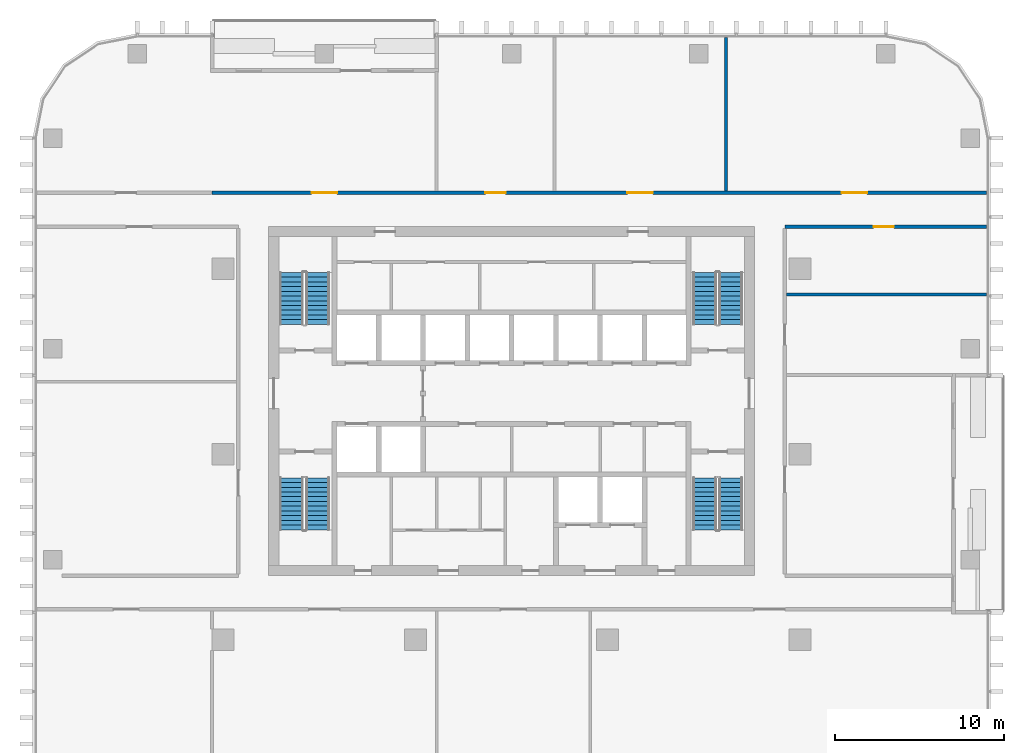
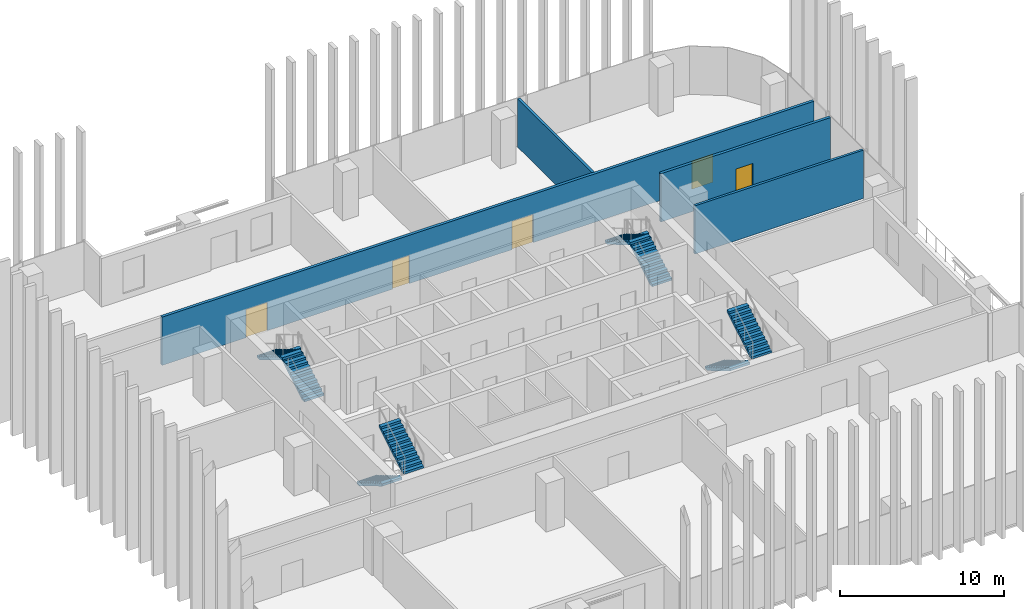
# One storey, part 10 of 15: 8 stair flights, 5 doors, 4 walls, 5 openings, 4 elements without a shape of their own.
"""IFC4 building model written with IfcOpenShell, lengths in metres."""

from ifc_helpers import new_model, si_unit, direction, frame, frame_2d, origin, place, context, subcontext, project, spatial, polyline, rectangle, outline, extrude, material, layer, layer_set, type_object, element, fill, aggregate, save


model = new_model("IFC4")

# Units and contexts
model_context = context("Model", 3, precision=1e-05, world=origin(), true_north=direction((0.0, 1.0)))
body_context = subcontext(model_context, "Body", "Model", "MODEL_VIEW")
ifc_project = project(units=[si_unit("LENGTHUNIT", "METRE"), si_unit("AREAUNIT", "SQUARE_METRE"), si_unit("VOLUMEUNIT", "CUBIC_METRE"), si_unit("PLANEANGLEUNIT", "RADIAN"), si_unit("MASSUNIT", "GRAM", prefix="KILO")], contexts=[model_context])

# Site, building, storey
site_placement = place(None, origin())
site = spatial("IfcSite", under=ifc_project, at=site_placement, CompositionType="ELEMENT")
building_placement = place(site_placement, origin())
building = spatial("IfcBuilding", under=site, at=building_placement, Name="Mopane Tessera Tower", CompositionType="ELEMENT")
storey_placement = place(building_placement, frame((0.0, 0.0, 211.0)))
storey = spatial("IfcBuildingStorey", under=building, at=storey_placement, Name="L44", CompositionType="ELEMENT", Elevation=211.0)

# Walls
ifc_material_1 = material(Name="Gypsum board on staggered steel studs, double layer each face, acoustic mineral wool infill", Category="steel")
ifc_layer_1 = layer(ifc_material_1, 0.175048828125)
ifc_layer_set_1 = layer_set([ifc_layer_1], Name="Gypsum board on staggered steel studs, double layer each face, acoustic mineral wool infill")
wall_type_1 = type_object("IfcWallType", Name="Gypsum board acoustic partition 175, rated EI 60", PredefinedType="PARTITIONING", material=ifc_layer_set_1)
wall_1_placement = place(storey_placement, frame((16.300048828125, 9.485107421875, 0.0), z_axis=(0.0, 0.0, 1.0), x_axis=(1.0, 0.0, 0.0)))
element("IfcWall", 1, at=wall_1_placement, inside=storey, type_object=wall_type_1, Name="Partition L44:005", PredefinedType="PARTITIONING", context=body_context, shape_type="SweptSolid", body=[
    extrude(rectangle(XDim=11.849853515625, YDim=0.175048828125, at=frame_2d((5.9248046875, 0.0))), origin(), (0.0, 0.0, 1.0), 3.60009765625),
])
wall_2_placement = place(storey_placement, frame((12.705078125, 15.60009765625, 0.0), z_axis=(0.0, 0.0, 1.0), x_axis=(0.0, 1.0, 0.0)))
element("IfcWall", 2, at=wall_2_placement, inside=storey, type_object=wall_type_1, Name="Partition L44:017", PredefinedType="PARTITIONING", context=body_context, shape_type="SweptSolid", body=[
    extrude(rectangle(XDim=9.099853515625, YDim=0.175048828125, at=frame_2d((4.5498046875, 0.0))), origin(), (0.0, 0.0, 1.0), 3.60009765625),
])

# Wall, opening, door
ifc_material_2 = material(Name="Gypsum board on steel studs, two layers each face, mineral wool infill", Category="steel")
ifc_layer_2 = layer(ifc_material_2, 0.199951171875)
ifc_layer_set_2 = layer_set([ifc_layer_2], Name="Gypsum board on steel studs, two layers each face, mineral wool infill")
wall_type_2 = type_object("IfcWallType", Name="Gypsum board corridor wall 200, rated EI 60", PredefinedType="PARTITIONING", material=ifc_layer_set_2)
wall_3_placement = place(storey_placement, frame((16.199951171875, 13.5, 0.0), z_axis=(0.0, 0.0, 1.0), x_axis=(1.0, 0.0, 0.0)))
wall_3 = element("IfcWall", 3, at=wall_3_placement, inside=storey, type_object=wall_type_2, Name="Partition L44:007", PredefinedType="PARTITIONING", context=body_context, shape_type="SweptSolid", body=[
    extrude(rectangle(XDim=11.949951171875, YDim=0.199951171875, at=frame_2d((5.97509765625, 0.0))), origin(), (0.0, 0.0, 1.0), 3.60009765625),
])
opening_1_placement = place(wall_3_placement, frame((5.27490234375, 0.0, 0.0)))
opening_1 = element("IfcOpeningElement", 4, at=opening_1_placement, cuts=wall_3, Name="Opening L44-03", PredefinedType="OPENING", context=body_context, shape_type="SweptSolid", body=[
    extrude(rectangle(XDim=1.199951171875, YDim=2.10009765625, at=frame_2d((0.60009765625, 1.050048828125))), frame((0.0, 0.112060546875, 0.0), z_axis=(0.0, -1.0, 0.0), x_axis=(1.0, 0.0, 0.0)), (0.0, 0.0, 1.0), 0.223876953125),
])
ifc_material_3 = material(Name="Timber veneered steel-framed fire door", Category="steel")
door_type_1 = type_object("IfcDoorType", Name="Fire door FD60 1200 x 2100", OperationType="SINGLE_SWING_LEFT", PredefinedType="DOOR", material=ifc_material_3)
door_1_placement = place(opening_1_placement, origin())
door_1 = element("IfcDoor", 5, at=door_1_placement, inside=storey, type_object=door_type_1, Name="Door L44-03", ObjectType="D15A", OperationType="SINGLE_SWING_LEFT", OverallHeight=2.10009765625, OverallWidth=1.199951171875, PredefinedType="DOOR", context=body_context, shape_type="SweptSolid", body=[
    extrude(rectangle(XDim=1.199951171875, YDim=2.10009765625, at=frame_2d((0.60009765625, 1.050048828125))), frame((0.0, 0.02490234375, 0.0), z_axis=(0.0, -1.0, 0.0), x_axis=(1.0, 0.0, 0.0)), (0.0, 0.0, 1.0), 0.050048828125),
])
fill(opening_1, door_1)

# Wall, openings, doors
wall_4_placement = place(storey_placement, frame((-17.760009765625, 15.5, 0.0), z_axis=(0.0, 0.0, 1.0), x_axis=(1.0, 0.0, 0.0)))
wall_4 = element("IfcWall", 6, at=wall_4_placement, inside=storey, type_object=wall_type_2, Name="Partition L44:009", PredefinedType="PARTITIONING", context=body_context, shape_type="SweptSolid", body=[
    extrude(rectangle(XDim=45.909912109375, YDim=0.199951171875, at=frame_2d((22.955078125, 0.0))), origin(), (0.0, 0.0, 1.0), 3.60009765625),
])
opening_2_placement = place(wall_4_placement, frame((37.33740234375, 0.0, 0.0)))
opening_2 = element("IfcOpeningElement", 7, at=opening_2_placement, cuts=wall_4, Name="Opening L44-01", PredefinedType="OPENING", context=body_context, shape_type="SweptSolid", body=[
    extrude(rectangle(XDim=1.5, YDim=2.10009765625, at=frame_2d((0.75, 1.050048828125))), frame((0.0, 0.112060546875, 0.0), z_axis=(0.0, -1.0, 0.0), x_axis=(1.0, 0.0, 0.0)), (0.0, 0.0, 1.0), 0.223876953125),
])
opening_3_placement = place(wall_4_placement, frame((24.632568359375, 0.0, 0.0)))
opening_3 = element("IfcOpeningElement", 8, at=opening_3_placement, cuts=wall_4, Name="Opening L44-02", PredefinedType="OPENING", context=body_context, shape_type="SweptSolid", body=[
    extrude(rectangle(XDim=1.5, YDim=2.10009765625, at=frame_2d((0.75, 1.050048828125))), frame((0.0, 0.112060546875, 0.0), z_axis=(0.0, -1.0, 0.0), x_axis=(1.0, 0.0, 0.0)), (0.0, 0.0, 1.0), 0.223876953125),
])
opening_4_placement = place(wall_4_placement, frame((5.909912109375, 0.0, 0.0)))
opening_4 = element("IfcOpeningElement", 9, at=opening_4_placement, cuts=wall_4, Name="Opening L44-09", PredefinedType="OPENING", context=body_context, shape_type="SweptSolid", body=[
    extrude(rectangle(XDim=1.5, YDim=2.10009765625, at=frame_2d((0.75, 1.050048828125))), frame((0.0, 0.112060546875, 0.0), z_axis=(0.0, -1.0, 0.0), x_axis=(1.0, 0.0, 0.0)), (0.0, 0.0, 1.0), 0.223876953125),
])
opening_5_placement = place(wall_4_placement, frame((16.2099609375, 0.0, 0.0)))
opening_5 = element("IfcOpeningElement", 10, at=opening_5_placement, cuts=wall_4, Name="Opening L44-13", PredefinedType="OPENING", context=body_context, shape_type="SweptSolid", body=[
    extrude(rectangle(XDim=1.199951171875, YDim=2.10009765625, at=frame_2d((0.60009765625, 1.050048828125))), frame((0.0, 0.112060546875, 0.0), z_axis=(0.0, -1.0, 0.0), x_axis=(1.0, 0.0, 0.0)), (0.0, 0.0, 1.0), 0.223876953125),
])
door_2_placement = place(opening_5_placement, origin())
door_2 = element("IfcDoor", 11, at=door_2_placement, inside=storey, type_object=door_type_1, Name="Door L44-13", ObjectType="D15A", OperationType="SINGLE_SWING_RIGHT", OverallHeight=2.10009765625, OverallWidth=1.199951171875, PredefinedType="DOOR", context=body_context, shape_type="SweptSolid", body=[
    extrude(rectangle(XDim=1.199951171875, YDim=2.10009765625, at=frame_2d((0.60009765625, 1.050048828125))), frame((0.0, 0.02490234375, 0.0), z_axis=(0.0, -1.0, 0.0), x_axis=(1.0, 0.0, 0.0)), (0.0, 0.0, 1.0), 0.050048828125),
])
fill(opening_5, door_2)
ifc_material_4 = material(Name="Timber veneered steel-framed fire door", Category="steel")
door_type_2 = type_object("IfcDoorType", Name="Fire door pair FD60 1500 x 2100", OperationType="DOUBLE_DOOR_SINGLE_SWING", PredefinedType="DOOR", material=ifc_material_4)
door_3_placement = place(opening_2_placement, origin())
door_3 = element("IfcDoor", 12, at=door_3_placement, inside=storey, type_object=door_type_2, Name="Door L44-01", ObjectType="D17A", OperationType="DOUBLE_DOOR_SINGLE_SWING", OverallHeight=2.10009765625, OverallWidth=1.5, PredefinedType="DOOR", context=body_context, shape_type="SweptSolid", body=[
    extrude(rectangle(XDim=1.5, YDim=2.10009765625, at=frame_2d((0.75, 1.050048828125))), frame((0.0, 0.02490234375, 0.0), z_axis=(0.0, -1.0, 0.0), x_axis=(1.0, 0.0, 0.0)), (0.0, 0.0, 1.0), 0.050048828125),
])
fill(opening_2, door_3)
door_4_placement = place(opening_3_placement, origin())
door_4 = element("IfcDoor", 13, at=door_4_placement, inside=storey, type_object=door_type_2, Name="Door L44-02", ObjectType="D17A", OperationType="DOUBLE_DOOR_SINGLE_SWING", OverallHeight=2.10009765625, OverallWidth=1.5, PredefinedType="DOOR", context=body_context, shape_type="SweptSolid", body=[
    extrude(rectangle(XDim=1.5, YDim=2.10009765625, at=frame_2d((0.75, 1.050048828125))), frame((0.0, 0.02490234375, 0.0), z_axis=(0.0, -1.0, 0.0), x_axis=(1.0, 0.0, 0.0)), (0.0, 0.0, 1.0), 0.050048828125),
])
fill(opening_3, door_4)
door_5_placement = place(opening_4_placement, origin())
door_5 = element("IfcDoor", 14, at=door_5_placement, inside=storey, type_object=door_type_2, Name="Door L44-09", ObjectType="D17A", OperationType="DOUBLE_DOOR_SINGLE_SWING", OverallHeight=2.10009765625, OverallWidth=1.5, PredefinedType="DOOR", context=body_context, shape_type="SweptSolid", body=[
    extrude(rectangle(XDim=1.5, YDim=2.10009765625, at=frame_2d((0.75, 1.050048828125))), frame((0.0, 0.02490234375, 0.0), z_axis=(0.0, -1.0, 0.0), x_axis=(1.0, 0.0, 0.0)), (0.0, 0.0, 1.0), 0.050048828125),
])
fill(opening_4, door_5)

# Stair, stair flights
ifc_material_5 = material(Name="Concrete C50/60", Category="concrete")
stair_type = type_object("IfcStairType", Name="Escape stair 1400 mm, riser 167 mm", PredefinedType="HALF_TURN_STAIR", material=ifc_material_5)
stair_1_placement = place(storey_placement, origin())
stair_1 = element("IfcStair", 15, at=stair_1_placement, inside=storey, type_object=stair_type, Name="L44 Escape stair south-west", PredefinedType="HALF_TURN_STAIR")
ifc_material_6 = material(Name="Concrete C50/60", Category="concrete")
stair_flight_type = type_object("IfcStairFlightType", Name="Escape stair flight 1400 mm", PredefinedType="STRAIGHT", material=ifc_material_6)
stair_flight_1_placement = place(storey_placement, frame((-13.050048828125, -1.39990234375, 0.0), z_axis=(0.0, 0.0, 1.0), x_axis=(0.0, -1.0, 0.0)))
stair_flight_1 = element("IfcStairFlight", 16, at=stair_flight_1_placement, type_object=stair_flight_type, Name="ST1 flight 1", NumberOfRisers=12, NumberOfTreads=11, PredefinedType="STRAIGHT", RiserHeight=0.166666667, TreadLength=0.28, context=body_context, shape_type="SweptSolid", body=[
    extrude(outline(polyline([(0.0, 0.0), (0.0, 0.166748046875), (0.280029296875, 0.166748046875), (0.280029296875, 0.333251953125), (0.56005859375, 0.333251953125), (0.56005859375, 0.5), (0.840087890625, 0.5), (0.840087890625, 0.666748046875), (1.1201171875, 0.666748046875), (1.1201171875, 0.833251953125), (1.39990234375, 0.833251953125), (1.39990234375, 1.0), (1.679931640625, 1.0), (1.679931640625, 1.166748046875), (1.9599609375, 1.166748046875), (1.9599609375, 1.333251953125), (2.239990234375, 1.333251953125), (2.239990234375, 1.5), (2.52001953125, 1.5), (2.52001953125, 1.666748046875), (2.800048828125, 1.666748046875), (2.800048828125, 1.833251953125), (3.080078125, 1.833251953125), (3.080078125, 2.0), (3.080078125, 1.658935546875), (0.29296875, 0.0), (0.0, 0.0)])), frame((0.0, 0.699951171875, 0.0), z_axis=(0.0, -1.0, 0.0), x_axis=(1.0, 0.0, 0.0)), (0.0, 0.0, 1.0), 1.39990234375),
])
stair_flight_2_placement = place(storey_placement, frame((-11.5, -4.47998046875, 2.0), z_axis=(0.0, 0.0, 1.0), x_axis=(0.0, 1.0, 0.0)))
stair_flight_2 = element("IfcStairFlight", 17, at=stair_flight_2_placement, type_object=stair_flight_type, Name="ST1 flight 2", NumberOfRisers=12, NumberOfTreads=11, PredefinedType="STRAIGHT", RiserHeight=0.166666667, TreadLength=0.28, context=body_context, shape_type="SweptSolid", body=[
    extrude(outline(polyline([(0.0, 0.0), (0.0, 0.166748046875), (0.280029296875, 0.166748046875), (0.280029296875, 0.333251953125), (0.56005859375, 0.333251953125), (0.56005859375, 0.5), (0.840087890625, 0.5), (0.840087890625, 0.666748046875), (1.1201171875, 0.666748046875), (1.1201171875, 0.833251953125), (1.39990234375, 0.833251953125), (1.39990234375, 1.0), (1.679931640625, 1.0), (1.679931640625, 1.166748046875), (1.9599609375, 1.166748046875), (1.9599609375, 1.333251953125), (2.239990234375, 1.333251953125), (2.239990234375, 1.5), (2.52001953125, 1.5), (2.52001953125, 1.666748046875), (2.800048828125, 1.666748046875), (2.800048828125, 1.833251953125), (3.080078125, 1.833251953125), (3.080078125, 2.0), (3.080078125, 1.658935546875), (0.29296875, 0.0), (0.0, 0.0)])), frame((0.0, 0.699951171875, 0.0), z_axis=(0.0, -1.0, 0.0), x_axis=(1.0, 0.0, 0.0)), (0.0, 0.0, 1.0), 1.39990234375),
])
aggregate(stair_1, [stair_flight_1, stair_flight_2])

stair_2_placement = place(storey_placement, origin())
stair_2 = element("IfcStair", 18, at=stair_2_placement, inside=storey, type_object=stair_type, Name="L44 Escape stair north-west", PredefinedType="HALF_TURN_STAIR")
stair_flight_3_placement = place(storey_placement, frame((-11.5, 7.699951171875, 0.0), z_axis=(0.0, 0.0, 1.0), x_axis=(0.0, 1.0, 0.0)))
stair_flight_3 = element("IfcStairFlight", 19, at=stair_flight_3_placement, type_object=stair_flight_type, Name="ST2 flight 1", NumberOfRisers=12, NumberOfTreads=11, PredefinedType="STRAIGHT", RiserHeight=0.166666667, TreadLength=0.28, context=body_context, shape_type="SweptSolid", body=[
    extrude(outline(polyline([(0.0, 0.0), (0.0, 0.166748046875), (0.280029296875, 0.166748046875), (0.280029296875, 0.333251953125), (0.56005859375, 0.333251953125), (0.56005859375, 0.5), (0.840087890625, 0.5), (0.840087890625, 0.666748046875), (1.1201171875, 0.666748046875), (1.1201171875, 0.833251953125), (1.39990234375, 0.833251953125), (1.39990234375, 1.0), (1.679931640625, 1.0), (1.679931640625, 1.166748046875), (1.9599609375, 1.166748046875), (1.9599609375, 1.333251953125), (2.239990234375, 1.333251953125), (2.239990234375, 1.5), (2.52001953125, 1.5), (2.52001953125, 1.666748046875), (2.800048828125, 1.666748046875), (2.800048828125, 1.833251953125), (3.080078125, 1.833251953125), (3.080078125, 2.0), (3.080078125, 1.658935546875), (0.29296875, 0.0), (0.0, 0.0)])), frame((0.0, 0.699951171875, 0.0), z_axis=(0.0, -1.0, 0.0), x_axis=(1.0, 0.0, 0.0)), (0.0, 0.0, 1.0), 1.39990234375),
])
stair_flight_4_placement = place(storey_placement, frame((-13.050048828125, 10.780029296875, 2.0), z_axis=(0.0, 0.0, 1.0), x_axis=(0.0, -1.0, 0.0)))
stair_flight_4 = element("IfcStairFlight", 20, at=stair_flight_4_placement, type_object=stair_flight_type, Name="ST2 flight 2", NumberOfRisers=12, NumberOfTreads=11, PredefinedType="STRAIGHT", RiserHeight=0.166666667, TreadLength=0.28, context=body_context, shape_type="SweptSolid", body=[
    extrude(outline(polyline([(0.0, 0.0), (0.0, 0.166748046875), (0.280029296875, 0.166748046875), (0.280029296875, 0.333251953125), (0.56005859375, 0.333251953125), (0.56005859375, 0.5), (0.840087890625, 0.5), (0.840087890625, 0.666748046875), (1.1201171875, 0.666748046875), (1.1201171875, 0.833251953125), (1.39990234375, 0.833251953125), (1.39990234375, 1.0), (1.679931640625, 1.0), (1.679931640625, 1.166748046875), (1.9599609375, 1.166748046875), (1.9599609375, 1.333251953125), (2.239990234375, 1.333251953125), (2.239990234375, 1.5), (2.52001953125, 1.5), (2.52001953125, 1.666748046875), (2.800048828125, 1.666748046875), (2.800048828125, 1.833251953125), (3.080078125, 1.833251953125), (3.080078125, 2.0), (3.080078125, 1.658935546875), (0.29296875, 0.0), (0.0, 0.0)])), frame((0.0, 0.699951171875, 0.0), z_axis=(0.0, -1.0, 0.0), x_axis=(1.0, 0.0, 0.0)), (0.0, 0.0, 1.0), 1.39990234375),
])
aggregate(stair_2, [stair_flight_3, stair_flight_4])

stair_3_placement = place(storey_placement, origin())
stair_3 = element("IfcStair", 21, at=stair_3_placement, inside=storey, type_object=stair_type, Name="L44 Escape stair south-east", PredefinedType="HALF_TURN_STAIR")
stair_flight_5_placement = place(storey_placement, frame((11.449951171875, -1.39990234375, 0.0), z_axis=(0.0, 0.0, 1.0), x_axis=(0.0, -1.0, 0.0)))
stair_flight_5 = element("IfcStairFlight", 22, at=stair_flight_5_placement, type_object=stair_flight_type, Name="ST3 flight 1", NumberOfRisers=12, NumberOfTreads=11, PredefinedType="STRAIGHT", RiserHeight=0.166666667, TreadLength=0.28, context=body_context, shape_type="SweptSolid", body=[
    extrude(outline(polyline([(0.0, 0.0), (0.0, 0.166748046875), (0.280029296875, 0.166748046875), (0.280029296875, 0.333251953125), (0.56005859375, 0.333251953125), (0.56005859375, 0.5), (0.840087890625, 0.5), (0.840087890625, 0.666748046875), (1.1201171875, 0.666748046875), (1.1201171875, 0.833251953125), (1.39990234375, 0.833251953125), (1.39990234375, 1.0), (1.679931640625, 1.0), (1.679931640625, 1.166748046875), (1.9599609375, 1.166748046875), (1.9599609375, 1.333251953125), (2.239990234375, 1.333251953125), (2.239990234375, 1.5), (2.52001953125, 1.5), (2.52001953125, 1.666748046875), (2.800048828125, 1.666748046875), (2.800048828125, 1.833251953125), (3.080078125, 1.833251953125), (3.080078125, 2.0), (3.080078125, 1.658935546875), (0.29296875, 0.0), (0.0, 0.0)])), frame((0.0, 0.699951171875, 0.0), z_axis=(0.0, -1.0, 0.0), x_axis=(1.0, 0.0, 0.0)), (0.0, 0.0, 1.0), 1.39990234375),
])
stair_flight_6_placement = place(storey_placement, frame((13.0, -4.47998046875, 2.0), z_axis=(0.0, 0.0, 1.0), x_axis=(0.0, 1.0, 0.0)))
stair_flight_6 = element("IfcStairFlight", 23, at=stair_flight_6_placement, type_object=stair_flight_type, Name="ST3 flight 2", NumberOfRisers=12, NumberOfTreads=11, PredefinedType="STRAIGHT", RiserHeight=0.166666667, TreadLength=0.28, context=body_context, shape_type="SweptSolid", body=[
    extrude(outline(polyline([(0.0, 0.0), (0.0, 0.166748046875), (0.280029296875, 0.166748046875), (0.280029296875, 0.333251953125), (0.56005859375, 0.333251953125), (0.56005859375, 0.5), (0.840087890625, 0.5), (0.840087890625, 0.666748046875), (1.1201171875, 0.666748046875), (1.1201171875, 0.833251953125), (1.39990234375, 0.833251953125), (1.39990234375, 1.0), (1.679931640625, 1.0), (1.679931640625, 1.166748046875), (1.9599609375, 1.166748046875), (1.9599609375, 1.333251953125), (2.239990234375, 1.333251953125), (2.239990234375, 1.5), (2.52001953125, 1.5), (2.52001953125, 1.666748046875), (2.800048828125, 1.666748046875), (2.800048828125, 1.833251953125), (3.080078125, 1.833251953125), (3.080078125, 2.0), (3.080078125, 1.658935546875), (0.29296875, 0.0), (0.0, 0.0)])), frame((0.0, 0.699951171875, 0.0), z_axis=(0.0, -1.0, 0.0), x_axis=(1.0, 0.0, 0.0)), (0.0, 0.0, 1.0), 1.39990234375),
])
aggregate(stair_3, [stair_flight_5, stair_flight_6])

stair_4_placement = place(storey_placement, origin())
stair_4 = element("IfcStair", 24, at=stair_4_placement, inside=storey, type_object=stair_type, Name="L44 Escape stair north-east", PredefinedType="HALF_TURN_STAIR")
stair_flight_7_placement = place(storey_placement, frame((13.0, 7.699951171875, 0.0), z_axis=(0.0, 0.0, 1.0), x_axis=(0.0, 1.0, 0.0)))
stair_flight_7 = element("IfcStairFlight", 25, at=stair_flight_7_placement, type_object=stair_flight_type, Name="ST4 flight 1", NumberOfRisers=12, NumberOfTreads=11, PredefinedType="STRAIGHT", RiserHeight=0.166666667, TreadLength=0.28, context=body_context, shape_type="SweptSolid", body=[
    extrude(outline(polyline([(0.0, 0.0), (0.0, 0.166748046875), (0.280029296875, 0.166748046875), (0.280029296875, 0.333251953125), (0.56005859375, 0.333251953125), (0.56005859375, 0.5), (0.840087890625, 0.5), (0.840087890625, 0.666748046875), (1.1201171875, 0.666748046875), (1.1201171875, 0.833251953125), (1.39990234375, 0.833251953125), (1.39990234375, 1.0), (1.679931640625, 1.0), (1.679931640625, 1.166748046875), (1.9599609375, 1.166748046875), (1.9599609375, 1.333251953125), (2.239990234375, 1.333251953125), (2.239990234375, 1.5), (2.52001953125, 1.5), (2.52001953125, 1.666748046875), (2.800048828125, 1.666748046875), (2.800048828125, 1.833251953125), (3.080078125, 1.833251953125), (3.080078125, 2.0), (3.080078125, 1.658935546875), (0.29296875, 0.0), (0.0, 0.0)])), frame((0.0, 0.699951171875, 0.0), z_axis=(0.0, -1.0, 0.0), x_axis=(1.0, 0.0, 0.0)), (0.0, 0.0, 1.0), 1.39990234375),
])
stair_flight_8_placement = place(storey_placement, frame((11.449951171875, 10.780029296875, 2.0), z_axis=(0.0, 0.0, 1.0), x_axis=(0.0, -1.0, 0.0)))
stair_flight_8 = element("IfcStairFlight", 26, at=stair_flight_8_placement, type_object=stair_flight_type, Name="ST4 flight 2", NumberOfRisers=12, NumberOfTreads=11, PredefinedType="STRAIGHT", RiserHeight=0.166666667, TreadLength=0.28, context=body_context, shape_type="SweptSolid", body=[
    extrude(outline(polyline([(0.0, 0.0), (0.0, 0.166748046875), (0.280029296875, 0.166748046875), (0.280029296875, 0.333251953125), (0.56005859375, 0.333251953125), (0.56005859375, 0.5), (0.840087890625, 0.5), (0.840087890625, 0.666748046875), (1.1201171875, 0.666748046875), (1.1201171875, 0.833251953125), (1.39990234375, 0.833251953125), (1.39990234375, 1.0), (1.679931640625, 1.0), (1.679931640625, 1.166748046875), (1.9599609375, 1.166748046875), (1.9599609375, 1.333251953125), (2.239990234375, 1.333251953125), (2.239990234375, 1.5), (2.52001953125, 1.5), (2.52001953125, 1.666748046875), (2.800048828125, 1.666748046875), (2.800048828125, 1.833251953125), (3.080078125, 1.833251953125), (3.080078125, 2.0), (3.080078125, 1.658935546875), (0.29296875, 0.0), (0.0, 0.0)])), frame((0.0, 0.699951171875, 0.0), z_axis=(0.0, -1.0, 0.0), x_axis=(1.0, 0.0, 0.0)), (0.0, 0.0, 1.0), 1.39990234375),
])
aggregate(stair_4, [stair_flight_7, stair_flight_8])

save(model, "model.ifc")
